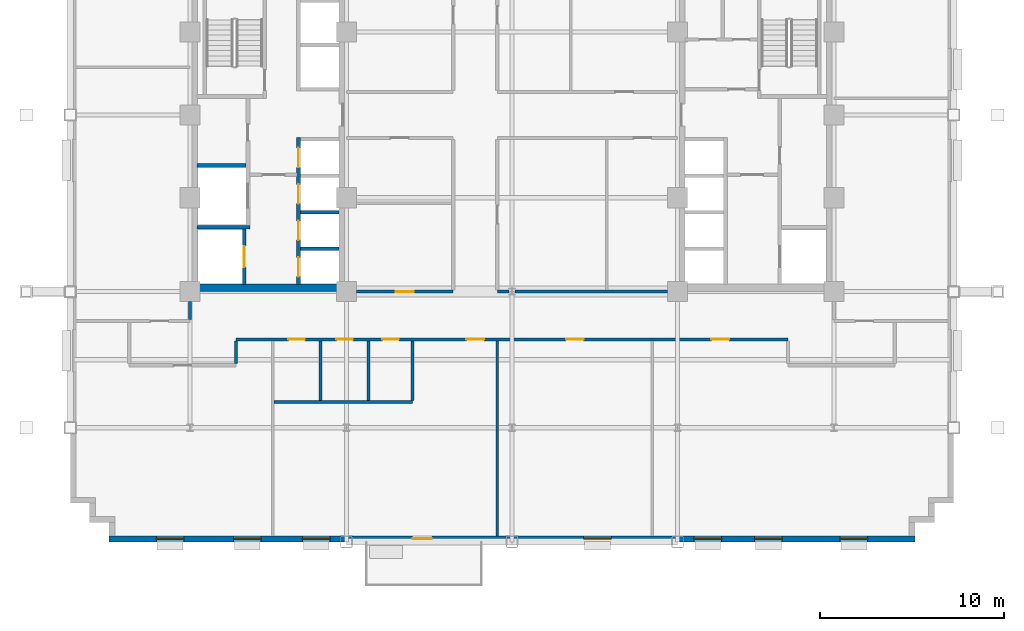
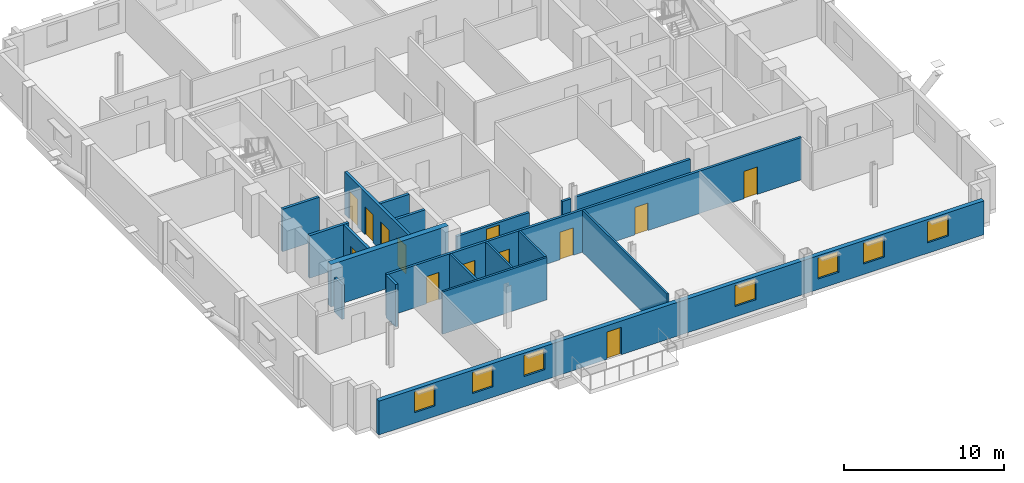
# One storey, part 6 of 14: 19 walls, 13 doors, 7 windows, 20 openings.
"""IFC4 building model written with IfcOpenShell, lengths in metres."""

from ifc_helpers import new_model, si_unit, direction, frame, frame_2d, origin, place, context, subcontext, project, spatial, rectangle, extrude, source, transform, mapped, material, layer, layer_set, type_object, type_shapes, element, fill, save


model = new_model("IFC4")

# Units and contexts
model_context = context("Model", 3, precision=1e-05, world=origin(), true_north=direction((0.0, 1.0)))
body_context = subcontext(model_context, "Body", "Model", "MODEL_VIEW")
ifc_project = project(units=[si_unit("LENGTHUNIT", "METRE"), si_unit("AREAUNIT", "SQUARE_METRE"), si_unit("VOLUMEUNIT", "CUBIC_METRE"), si_unit("PLANEANGLEUNIT", "RADIAN"), si_unit("MASSUNIT", "GRAM", prefix="KILO")], contexts=[model_context])

# Site, building, storey
site_placement = place(None, origin())
site = spatial("IfcSite", under=ifc_project, at=site_placement, CompositionType="ELEMENT")
building_placement = place(site_placement, origin())
building = spatial("IfcBuilding", under=site, at=building_placement, Name="Nuvemarco Arch Tower", CompositionType="ELEMENT")
storey_placement = place(building_placement, frame((0.0, 0.0, 112.89990234375)))
storey = spatial("IfcBuildingStorey", under=building, at=storey_placement, Name="L29", CompositionType="ELEMENT", Elevation=112.89990234375)

# Wall, openings, door, windows
ifc_material_1 = material(Name="Precast concrete C45/55", Category="concrete")
ifc_layer_1 = layer(ifc_material_1, 0.320068359375, Name="EW-MID-320")
ifc_layer_set_1 = layer_set([ifc_layer_1], Name="Precast concrete C45/55")
wall_type_1 = type_object("IfcWallType", Name="EW-MID-320", PredefinedType="STANDARD", material=ifc_layer_set_1)
wall_1_placement = place(storey_placement, frame((-21.89990234375, -23.0400390625, 0.0), z_axis=(0.0, 0.0, 1.0), x_axis=(1.0, 0.0, 0.0)))
wall_1 = element("IfcWall", 1, at=wall_1_placement, inside=storey, type_object=wall_type_1, Name="L29 exterior precast facade wall 1", PredefinedType="STANDARD", context=body_context, shape_type="SweptSolid", body=[
    extrude(rectangle(XDim=43.7998046875, YDim=0.320068359375, at=frame_2d((21.89990234375, 0.0))), origin(), (0.0, 0.0, 1.0), 2.585205078125),
])
opening_1_placement = place(wall_1_placement, frame((17.550048828125, 0.0, 0.0), z_axis=(0.0, 0.0, 1.0), x_axis=(-1.0, 0.0, 0.0)))
opening_1 = element("IfcOpeningElement", 2, at=opening_1_placement, cuts=wall_1, Name="Opening ED-5", PredefinedType="OPENING", context=body_context, shape_type="SweptSolid", body=[
    extrude(rectangle(XDim=1.050048828125, YDim=2.10009765625, at=frame_2d((0.52490234375, 1.050048828125))), frame((0.0, 0.169921875, 0.0), z_axis=(0.0, -1.0, 0.0), x_axis=(1.0, 0.0, 0.0)), (0.0, 0.0, 1.0), 0.340087890625),
])
opening_2_placement = place(wall_1_placement, frame((2.572265625, 0.0, 0.800048828125)))
opening_2 = element("IfcOpeningElement", 3, at=opening_2_placement, cuts=wall_1, Name="Opening WN-11", PredefinedType="OPENING", context=body_context, shape_type="SweptSolid", body=[
    extrude(rectangle(XDim=1.5, YDim=1.60009765625, at=frame_2d((0.75, 0.800048828125))), frame((0.0, 0.169921875, 0.0), z_axis=(0.0, -1.0, 0.0), x_axis=(1.0, 0.0, 0.0)), (0.0, 0.0, 1.0), 0.340087890625),
])
opening_3_placement = place(wall_1_placement, frame((6.7666015625, 0.0, 0.800048828125)))
opening_3 = element("IfcOpeningElement", 4, at=opening_3_placement, cuts=wall_1, Name="Opening WN-11", PredefinedType="OPENING", context=body_context, shape_type="SweptSolid", body=[
    extrude(rectangle(XDim=1.5, YDim=1.60009765625, at=frame_2d((0.75, 0.800048828125))), frame((0.0, 0.169921875, 0.0), z_axis=(0.0, -1.0, 0.0), x_axis=(1.0, 0.0, 0.0)), (0.0, 0.0, 1.0), 0.340087890625),
])
opening_4_placement = place(wall_1_placement, frame((10.510986328125, 0.0, 0.800048828125)))
opening_4 = element("IfcOpeningElement", 5, at=opening_4_placement, cuts=wall_1, Name="Opening WN-11", PredefinedType="OPENING", context=body_context, shape_type="SweptSolid", body=[
    extrude(rectangle(XDim=1.5, YDim=1.60009765625, at=frame_2d((0.75, 0.800048828125))), frame((0.0, 0.169921875, 0.0), z_axis=(0.0, -1.0, 0.0), x_axis=(1.0, 0.0, 0.0)), (0.0, 0.0, 1.0), 0.340087890625),
])
opening_5_placement = place(wall_1_placement, frame((25.79443359375, 0.0, 0.800048828125)))
opening_5 = element("IfcOpeningElement", 6, at=opening_5_placement, cuts=wall_1, Name="Opening WN-11", PredefinedType="OPENING", context=body_context, shape_type="SweptSolid", body=[
    extrude(rectangle(XDim=1.5, YDim=1.60009765625, at=frame_2d((0.75, 0.800048828125))), frame((0.0, 0.169921875, 0.0), z_axis=(0.0, -1.0, 0.0), x_axis=(1.0, 0.0, 0.0)), (0.0, 0.0, 1.0), 0.340087890625),
])
opening_6_placement = place(wall_1_placement, frame((31.788818359375, 0.0, 0.800048828125)))
opening_6 = element("IfcOpeningElement", 7, at=opening_6_placement, cuts=wall_1, Name="Opening WN-11", PredefinedType="OPENING", context=body_context, shape_type="SweptSolid", body=[
    extrude(rectangle(XDim=1.5, YDim=1.60009765625, at=frame_2d((0.75, 0.800048828125))), frame((0.0, 0.169921875, 0.0), z_axis=(0.0, -1.0, 0.0), x_axis=(1.0, 0.0, 0.0)), (0.0, 0.0, 1.0), 0.340087890625),
])
opening_7_placement = place(wall_1_placement, frame((35.083251953125, 0.0, 0.800048828125)))
opening_7 = element("IfcOpeningElement", 8, at=opening_7_placement, cuts=wall_1, Name="Opening WN-11", PredefinedType="OPENING", context=body_context, shape_type="SweptSolid", body=[
    extrude(rectangle(XDim=1.5, YDim=1.60009765625, at=frame_2d((0.75, 0.800048828125))), frame((0.0, 0.169921875, 0.0), z_axis=(0.0, -1.0, 0.0), x_axis=(1.0, 0.0, 0.0)), (0.0, 0.0, 1.0), 0.340087890625),
])
opening_8_placement = place(wall_1_placement, frame((39.727783203125, 0.0, 0.800048828125)))
opening_8 = element("IfcOpeningElement", 9, at=opening_8_placement, cuts=wall_1, Name="Opening WN-11", PredefinedType="OPENING", context=body_context, shape_type="SweptSolid", body=[
    extrude(rectangle(XDim=1.5, YDim=1.60009765625, at=frame_2d((0.75, 0.800048828125))), frame((0.0, 0.169921875, 0.0), z_axis=(0.0, -1.0, 0.0), x_axis=(1.0, 0.0, 0.0)), (0.0, 0.0, 1.0), 0.340087890625),
])
ifc_material_2 = material(Name="Anodised bronze and laminated glass", Category="glass")
door_type_1 = type_object("IfcDoorType", Name="DR-EXT-TERR", OperationType="NOTDEFINED", PredefinedType="DOOR", material=ifc_material_2)
shared_shape_1 = source(origin(), body_context, "Body", "SweptSolid", [
    extrude(rectangle(XDim=1.050048828125, YDim=2.10009765625, at=frame_2d((0.52490234375, 1.050048828125))), frame((0.0, 0.02490234375, 0.0), z_axis=(0.0, -1.0, 0.0), x_axis=(1.0, 0.0, 0.0)), (0.0, 0.0, 1.0), 0.050048828125),
])
type_shapes(door_type_1, [shared_shape_1])
door_1_placement = place(opening_1_placement, origin())
door_1 = element("IfcDoor", 10, at=door_1_placement, inside=storey, type_object=door_type_1, Name="L29 spiral terrace access door", OperationType="SINGLE_SWING_LEFT", OverallHeight=2.10009765625, OverallWidth=1.050048828125, PredefinedType="DOOR", context=body_context, shape_type="MappedRepresentation", body=[
    mapped(shared_shape_1, transform((0.0, 0.0, 0.0), scale=1.0)),
])
fill(opening_1, door_1)
ifc_material_3 = material(Name="Insulated solar-control glass", Category="glass")
window_type = type_object("IfcWindowType", Name="WN-STEP-1500x1850", PartitioningType="SINGLE_PANEL", PredefinedType="WINDOW", material=ifc_material_3)
shared_shape_2 = source(origin(), body_context, "Body", "SweptSolid", [
    extrude(rectangle(XDim=1.5, YDim=1.60009765625, at=frame_2d((0.75, 0.800048828125))), frame((0.0, 0.030029296875, 0.0), z_axis=(0.0, -1.0, 0.0), x_axis=(1.0, 0.0, 0.0)), (0.0, 0.0, 1.0), 0.06005859375),
])
type_shapes(window_type, [shared_shape_2])
window_1_placement = place(opening_2_placement, origin())
window_1 = element("IfcWindow", 11, at=window_1_placement, inside=storey, type_object=window_type, Name="L29 punched facade window 1", OverallHeight=1.60009765625, OverallWidth=1.5, PartitioningType="SINGLE_PANEL", PredefinedType="WINDOW", context=body_context, shape_type="MappedRepresentation", body=[
    mapped(shared_shape_2, transform((0.0, 0.0, 0.0), scale=1.0)),
])
fill(opening_2, window_1)
window_2_placement = place(opening_3_placement, origin())
window_2 = element("IfcWindow", 12, at=window_2_placement, inside=storey, type_object=window_type, Name="L29 punched facade window 2", OverallHeight=1.60009765625, OverallWidth=1.5, PartitioningType="SINGLE_PANEL", PredefinedType="WINDOW", context=body_context, shape_type="MappedRepresentation", body=[
    mapped(shared_shape_2, transform((0.0, 0.0, 0.0), scale=1.0)),
])
fill(opening_3, window_2)
window_3_placement = place(opening_4_placement, origin())
window_3 = element("IfcWindow", 13, at=window_3_placement, inside=storey, type_object=window_type, Name="L29 punched facade window 3", OverallHeight=1.60009765625, OverallWidth=1.5, PartitioningType="SINGLE_PANEL", PredefinedType="WINDOW", context=body_context, shape_type="MappedRepresentation", body=[
    mapped(shared_shape_2, transform((0.0, 0.0, 0.0), scale=1.0)),
])
fill(opening_4, window_3)
window_4_placement = place(opening_5_placement, origin())
window_4 = element("IfcWindow", 14, at=window_4_placement, inside=storey, type_object=window_type, Name="L29 punched facade window 6", OverallHeight=1.60009765625, OverallWidth=1.5, PartitioningType="SINGLE_PANEL", PredefinedType="WINDOW", context=body_context, shape_type="MappedRepresentation", body=[
    mapped(shared_shape_2, transform((0.0, 0.0, 0.0), scale=1.0)),
])
fill(opening_5, window_4)
window_5_placement = place(opening_6_placement, origin())
window_5 = element("IfcWindow", 15, at=window_5_placement, inside=storey, type_object=window_type, Name="L29 punched facade window 7", OverallHeight=1.60009765625, OverallWidth=1.5, PartitioningType="SINGLE_PANEL", PredefinedType="WINDOW", context=body_context, shape_type="MappedRepresentation", body=[
    mapped(shared_shape_2, transform((0.0, 0.0, 0.0), scale=1.0)),
])
fill(opening_6, window_5)
window_6_placement = place(opening_7_placement, origin())
window_6 = element("IfcWindow", 16, at=window_6_placement, inside=storey, type_object=window_type, Name="L29 punched facade window 8", OverallHeight=1.60009765625, OverallWidth=1.5, PartitioningType="SINGLE_PANEL", PredefinedType="WINDOW", context=body_context, shape_type="MappedRepresentation", body=[
    mapped(shared_shape_2, transform((0.0, 0.0, 0.0), scale=1.0)),
])
fill(opening_7, window_6)
window_7_placement = place(opening_8_placement, origin())
window_7 = element("IfcWindow", 17, at=window_7_placement, inside=storey, type_object=window_type, Name="L29 punched facade window 9", OverallHeight=1.60009765625, OverallWidth=1.5, PartitioningType="SINGLE_PANEL", PredefinedType="WINDOW", context=body_context, shape_type="MappedRepresentation", body=[
    mapped(shared_shape_2, transform((0.0, 0.0, 0.0), scale=1.0)),
])
fill(opening_8, window_7)

# Wall
ifc_material_4 = material(Name="Concrete C60/75", Category="concrete")
ifc_layer_2 = layer(ifc_material_4, 0.39990234375, Name="WL-CORE-400")
ifc_layer_set_2 = layer_set([ifc_layer_2], Name="Concrete C60/75")
wall_type_2 = type_object("IfcWallType", Name="WL-CORE-400", PredefinedType="SHEAR", material=ifc_layer_set_2)
wall_2_placement = place(storey_placement, frame((-17.5, -9.39990234375, 0.0), z_axis=(0.0, 0.0, 1.0), x_axis=(1.0, 0.0, 0.0)))
element("IfcWall", 18, at=wall_2_placement, inside=storey, type_object=wall_type_2, Name="L29 W-core shear wall S", PredefinedType="SHEAR", context=body_context, shape_type="SweptSolid", body=[
    extrude(rectangle(XDim=8.5, YDim=0.39990234375, at=frame_2d((4.25, 0.0))), origin(), (0.0, 0.0, 1.0), 3.25),
])

# Wall, openings, doors
ifc_material_5 = material(Name="Fire-rated gypsum drywall partition")
ifc_layer_3 = layer(ifc_material_5, 0.179931640625, Name="WL-CORR-180")
ifc_layer_set_3 = layer_set([ifc_layer_3], Name="Fire-rated gypsum drywall partition")
wall_type_3 = type_object("IfcWallType", Name="WL-CORR-180", PredefinedType="PARTITIONING", material=ifc_layer_set_3)
wall_3_placement = place(storey_placement, frame((-15.0, -12.199951171875, 0.0), z_axis=(0.0, 0.0, 1.0), x_axis=(1.0, 0.0, 0.0)))
wall_3 = element("IfcWall", 19, at=wall_3_placement, inside=storey, type_object=wall_type_3, Name="L29 interior wall IW-L29-004", PredefinedType="PARTITIONING", context=body_context, shape_type="SweptSolid", body=[
    extrude(rectangle(XDim=30.0, YDim=0.179931640625, at=frame_2d((15.0, 0.0))), origin(), (0.0, 0.0, 1.0), 3.239990234375),
])
opening_9_placement = place(wall_3_placement, frame((17.93505859375, 0.0, 0.0)))
opening_9 = element("IfcOpeningElement", 20, at=opening_9_placement, cuts=wall_3, Name="Opening FD-5", PredefinedType="OPENING", context=body_context, shape_type="SweptSolid", body=[
    extrude(rectangle(XDim=0.9599609375, YDim=2.10009765625, at=frame_2d((0.47998046875, 1.050048828125))), frame((0.0, 0.099853515625, 0.0), z_axis=(0.0, -1.0, 0.0), x_axis=(1.0, 0.0, 0.0)), (0.0, 0.0, 1.0), 0.199951171875),
])
opening_10_placement = place(wall_3_placement, frame((25.8349609375, 0.0, 0.0)))
opening_10 = element("IfcOpeningElement", 21, at=opening_10_placement, cuts=wall_3, Name="Opening FD-5", PredefinedType="OPENING", context=body_context, shape_type="SweptSolid", body=[
    extrude(rectangle(XDim=0.9599609375, YDim=2.10009765625, at=frame_2d((0.47998046875, 1.050048828125))), frame((0.0, 0.099853515625, 0.0), z_axis=(0.0, -1.0, 0.0), x_axis=(1.0, 0.0, 0.0)), (0.0, 0.0, 1.0), 0.199951171875),
])
opening_11_placement = place(wall_3_placement, frame((5.449951171875, 0.0, 0.0)))
opening_11 = element("IfcOpeningElement", 22, at=opening_11_placement, cuts=wall_3, Name="Opening ID-3", PredefinedType="OPENING", context=body_context, shape_type="SweptSolid", body=[
    extrude(rectangle(XDim=0.89990234375, YDim=2.10009765625, at=frame_2d((0.449951171875, 1.050048828125))), frame((0.0, 0.099853515625, 0.0), z_axis=(0.0, -1.0, 0.0), x_axis=(1.0, 0.0, 0.0)), (0.0, 0.0, 1.0), 0.199951171875),
])
opening_12_placement = place(wall_3_placement, frame((2.85009765625, 0.0, 0.0)))
opening_12 = element("IfcOpeningElement", 23, at=opening_12_placement, cuts=wall_3, Name="Opening ID-3", PredefinedType="OPENING", context=body_context, shape_type="SweptSolid", body=[
    extrude(rectangle(XDim=0.89990234375, YDim=2.10009765625, at=frame_2d((0.449951171875, 1.050048828125))), frame((0.0, 0.099853515625, 0.0), z_axis=(0.0, -1.0, 0.0), x_axis=(1.0, 0.0, 0.0)), (0.0, 0.0, 1.0), 0.199951171875),
])
opening_13_placement = place(wall_3_placement, frame((12.52001953125, 0.0, 0.0)))
opening_13 = element("IfcOpeningElement", 24, at=opening_13_placement, cuts=wall_3, Name="Opening FD-5", PredefinedType="OPENING", context=body_context, shape_type="SweptSolid", body=[
    extrude(rectangle(XDim=0.9599609375, YDim=2.10009765625, at=frame_2d((0.47998046875, 1.050048828125))), frame((0.0, 0.099853515625, 0.0), z_axis=(0.0, -1.0, 0.0), x_axis=(1.0, 0.0, 0.0)), (0.0, 0.0, 1.0), 0.199951171875),
])
opening_14_placement = place(wall_3_placement, frame((7.949951171875, 0.0, 0.0)))
opening_14 = element("IfcOpeningElement", 25, at=opening_14_placement, cuts=wall_3, Name="Opening ID-3", PredefinedType="OPENING", context=body_context, shape_type="SweptSolid", body=[
    extrude(rectangle(XDim=0.89990234375, YDim=2.10009765625, at=frame_2d((0.449951171875, 1.050048828125))), frame((0.0, 0.099853515625, 0.0), z_axis=(0.0, -1.0, 0.0), x_axis=(1.0, 0.0, 0.0)), (0.0, 0.0, 1.0), 0.199951171875),
])
ifc_material_6 = material(Name="Timber fire door", Category="wood")
door_type_2 = type_object("IfcDoorType", Name="DR-CORR-FD", OperationType="NOTDEFINED", PredefinedType="DOOR", material=ifc_material_6)
shared_shape_3 = source(origin(), body_context, "Body", "SweptSolid", [
    extrude(rectangle(XDim=0.9599609375, YDim=2.10009765625, at=frame_2d((0.47998046875, 1.050048828125))), frame((0.0, 0.02490234375, 0.0), z_axis=(0.0, -1.0, 0.0), x_axis=(1.0, 0.0, 0.0)), (0.0, 0.0, 1.0), 0.050048828125),
])
type_shapes(door_type_2, [shared_shape_3])
door_2_placement = place(opening_9_placement, origin())
door_2 = element("IfcDoor", 26, at=door_2_placement, inside=storey, type_object=door_type_2, Name="L29 door DR-L29-S_3", OperationType="SINGLE_SWING_RIGHT", OverallHeight=2.10009765625, OverallWidth=0.9599609375, PredefinedType="DOOR", context=body_context, shape_type="MappedRepresentation", body=[
    mapped(shared_shape_3, transform((0.0, 0.0, 0.0), scale=1.0)),
])
fill(opening_9, door_2)
door_3_placement = place(opening_10_placement, origin())
door_3 = element("IfcDoor", 27, at=door_3_placement, inside=storey, type_object=door_type_2, Name="L29 door DR-L29-S_4", OperationType="SINGLE_SWING_LEFT", OverallHeight=2.10009765625, OverallWidth=0.9599609375, PredefinedType="DOOR", context=body_context, shape_type="MappedRepresentation", body=[
    mapped(shared_shape_3, transform((0.0, 0.0, 0.0), scale=1.0)),
])
fill(opening_10, door_3)
door_4_placement = place(opening_13_placement, origin())
door_4 = element("IfcDoor", 28, at=door_4_placement, inside=storey, type_object=door_type_2, Name="L29 door DR-L29-S_2", OperationType="SINGLE_SWING_LEFT", OverallHeight=2.10009765625, OverallWidth=0.9599609375, PredefinedType="DOOR", context=body_context, shape_type="MappedRepresentation", body=[
    mapped(shared_shape_3, transform((0.0, 0.0, 0.0), scale=1.0)),
])
fill(opening_13, door_4)
ifc_material_7 = material(Name="Veneered oak timber fire door", Category="wood")
door_type_3 = type_object("IfcDoorType", Name="DR-WC-ACC", OperationType="NOTDEFINED", PredefinedType="DOOR", material=ifc_material_7)
shared_shape_4 = source(origin(), body_context, "Body", "SweptSolid", [
    extrude(rectangle(XDim=0.89990234375, YDim=2.10009765625, at=frame_2d((0.449951171875, 1.050048828125))), frame((0.0, 0.02490234375, 0.0), z_axis=(0.0, -1.0, 0.0), x_axis=(1.0, 0.0, 0.0)), (0.0, 0.0, 1.0), 0.050048828125),
])
type_shapes(door_type_3, [shared_shape_4])
door_5_placement = place(opening_11_placement, origin())
door_5 = element("IfcDoor", 29, at=door_5_placement, inside=storey, type_object=door_type_3, Name="L29 door DR-L29-WC_F", OperationType="SINGLE_SWING_RIGHT", OverallHeight=2.10009765625, OverallWidth=0.89990234375, PredefinedType="DOOR", context=body_context, shape_type="MappedRepresentation", body=[
    mapped(shared_shape_4, transform((0.0, 0.0, 0.0), scale=1.0)),
])
fill(opening_11, door_5)
door_6_placement = place(opening_12_placement, origin())
door_6 = element("IfcDoor", 30, at=door_6_placement, inside=storey, type_object=door_type_3, Name="L29 door DR-L29-WC_M", OperationType="SINGLE_SWING_LEFT", OverallHeight=2.10009765625, OverallWidth=0.89990234375, PredefinedType="DOOR", context=body_context, shape_type="MappedRepresentation", body=[
    mapped(shared_shape_4, transform((0.0, 0.0, 0.0), scale=1.0)),
])
fill(opening_12, door_6)
door_7_placement = place(opening_14_placement, origin())
door_7 = element("IfcDoor", 31, at=door_7_placement, inside=storey, type_object=door_type_3, Name="L29 door DR-L29-WC_ACC", OperationType="SINGLE_SWING_RIGHT", OverallHeight=2.10009765625, OverallWidth=0.89990234375, PredefinedType="DOOR", context=body_context, shape_type="MappedRepresentation", body=[
    mapped(shared_shape_4, transform((0.0, 0.0, 0.0), scale=1.0)),
])
fill(opening_14, door_7)

# Wall, opening, door
wall_4_placement = place(storey_placement, frame((-8.4541015625, -9.60009765625, 0.0), z_axis=(0.0, 0.0, 1.0), x_axis=(1.0, 0.0, 0.0)))
wall_4 = element("IfcWall", 32, at=wall_4_placement, inside=storey, type_object=wall_type_3, Name="L29 interior wall IW-L29-007", PredefinedType="PARTITIONING", context=body_context, shape_type="SweptSolid", body=[
    extrude(rectangle(XDim=5.254150390625, YDim=0.179931640625, at=frame_2d((2.626953125, 0.0))), origin(), (0.0, 0.0, 1.0), 2.28515625),
])
opening_15_placement = place(wall_4_placement, frame((2.14697265625, 0.0, 0.0)))
opening_15 = element("IfcOpeningElement", 33, at=opening_15_placement, cuts=wall_4, Name="Opening FD-5", PredefinedType="OPENING", context=body_context, shape_type="SweptSolid", body=[
    extrude(rectangle(XDim=0.9599609375, YDim=2.10009765625, at=frame_2d((0.47998046875, 1.050048828125))), frame((0.0, 0.099853515625, 0.0), z_axis=(0.0, -1.0, 0.0), x_axis=(1.0, 0.0, 0.0)), (0.0, 0.0, 1.0), 0.199951171875),
])
door_8_placement = place(opening_15_placement, origin())
door_8 = element("IfcDoor", 34, at=door_8_placement, inside=storey, type_object=door_type_2, Name="L29 door DR-L29-C_SW2", OperationType="SINGLE_SWING_LEFT", OverallHeight=2.10009765625, OverallWidth=0.9599609375, PredefinedType="DOOR", context=body_context, shape_type="MappedRepresentation", body=[
    mapped(shared_shape_3, transform((0.0, 0.0, 0.0), scale=1.0)),
])
fill(opening_15, door_8)

# Walls
wall_5_placement = place(storey_placement, frame((-0.800048828125, -9.60009765625, 0.0), z_axis=(0.0, 0.0, 1.0), x_axis=(1.0, 0.0, 0.0)))
element("IfcWall", 35, at=wall_5_placement, inside=storey, type_object=wall_type_3, Name="L29 interior wall IW-L29-008", PredefinedType="PARTITIONING", context=body_context, shape_type="SweptSolid", body=[
    extrude(rectangle(XDim=0.6240234375, YDim=0.179931640625, at=frame_2d((0.31201171875, 0.0))), origin(), (0.0, 0.0, 1.0), 2.28515625),
])
wall_6_placement = place(storey_placement, frame((0.176025390625, -9.60009765625, 0.0), z_axis=(0.0, 0.0, 1.0), x_axis=(1.0, 0.0, 0.0)))
element("IfcWall", 36, at=wall_6_placement, inside=storey, type_object=wall_type_3, Name="L29 interior wall IW-L29-009", PredefinedType="PARTITIONING", context=body_context, shape_type="SweptSolid", body=[
    extrude(rectangle(XDim=8.278076171875, YDim=0.179931640625, at=frame_2d((4.13916015625, 0.0))), origin(), (0.0, 0.0, 1.0), 2.28515625),
])
wall_7_placement = place(storey_placement, frame((-17.5, -11.114013671875, 0.0), z_axis=(0.0, 0.0, 1.0), x_axis=(0.0, 1.0, 0.0)))
element("IfcWall", 37, at=wall_7_placement, inside=storey, type_object=wall_type_3, Name="L29 interior wall IW-L29-027", PredefinedType="PARTITIONING", context=body_context, shape_type="SweptSolid", body=[
    extrude(rectangle(XDim=0.968017578125, YDim=0.179931640625, at=frame_2d((0.48388671875, 0.0))), origin(), (0.0, 0.0, 1.0), 2.6181640625),
])
wall_8_placement = place(storey_placement, frame((-15.0, -13.513916015625, 0.0), z_axis=(0.0, 0.0, 1.0), x_axis=(0.0, 1.0, 0.0)))
element("IfcWall", 38, at=wall_8_placement, inside=storey, type_object=wall_type_3, Name="L29 interior wall IW-L29-029", PredefinedType="PARTITIONING", context=body_context, shape_type="SweptSolid", body=[
    extrude(rectangle(XDim=1.22802734375, YDim=0.179931640625, at=frame_2d((0.614013671875, 0.0))), origin(), (0.0, 0.0, 1.0), 3.239990234375),
])
ifc_material_8 = material(Name="Gypsum plasterboard partition")
ifc_layer_4 = layer(ifc_material_8, 0.139892578125, Name="WL-ROOM-140")
ifc_layer_set_4 = layer_set([ifc_layer_4], Name="Gypsum plasterboard partition")
wall_type_4 = type_object("IfcWallType", Name="WL-ROOM-140", PredefinedType="PARTITIONING", material=ifc_layer_set_4)
wall_9_placement = place(storey_placement, frame((-0.800048828125, -22.8798828125, 0.0), z_axis=(0.0, 0.0, 1.0), x_axis=(0.0, 1.0, 0.0)))
element("IfcWall", 39, at=wall_9_placement, inside=storey, type_object=wall_type_4, Name="L29 interior wall IW-L29-039", PredefinedType="PARTITIONING", context=body_context, shape_type="SweptSolid", body=[
    extrude(rectangle(XDim=10.593994140625, YDim=0.139892578125, at=frame_2d((5.296875, 0.0))), origin(), (0.0, 0.0, 1.0), 3.239990234375),
])

# Wall, opening, door
ifc_material_9 = material(Name="Concrete C50/60", Category="concrete")
ifc_layer_5 = layer(ifc_material_9, 0.199951171875, Name="WL-SHAFT-220")
ifc_layer_set_5 = layer_set([ifc_layer_5], Name="Concrete C50/60")
wall_type_5 = type_object("IfcWallType", Name="WL-SHAFT-220", PredefinedType="SHEAR", material=ifc_layer_set_5)
wall_10_placement = place(storey_placement, frame((-14.550048828125, -9.205078125, 0.0), z_axis=(0.0, 0.0, 1.0), x_axis=(0.0, 1.0, 0.0)))
wall_10 = element("IfcWall", 40, at=wall_10_placement, inside=storey, type_object=wall_type_5, Name="L29 structural shaft wall SW-L29-W-SHE", PredefinedType="SHEAR", context=body_context, shape_type="SweptSolid", body=[
    extrude(rectangle(XDim=3.010009765625, YDim=0.199951171875, at=frame_2d((1.5048828125, 0.0))), origin(), (0.0, 0.0, 1.0), 3.25),
])
opening_16_placement = place(wall_10_placement, frame((0.929931640625, 0.0, 0.0)))
opening_16 = element("IfcOpeningElement", 41, at=opening_16_placement, cuts=wall_10, Name="Opening LD-2", PredefinedType="OPENING", context=body_context, shape_type="SweptSolid", body=[
    extrude(rectangle(XDim=1.14990234375, YDim=2.14990234375, at=frame_2d((0.574951171875, 1.074951171875))), frame((0.0, 0.10986328125, 0.0), z_axis=(0.0, -1.0, 0.0), x_axis=(1.0, 0.0, 0.0)), (0.0, 0.0, 1.0), 0.219970703125),
])
ifc_material_10 = material(Name="Stainless steel lift door", Category="steel")
door_type_4 = type_object("IfcDoorType", Name="DR-LIFT-FIRE", OperationType="DOUBLE_DOOR_SLIDING", PredefinedType="DOOR", material=ifc_material_10)
shared_shape_5 = source(origin(), body_context, "Body", "SweptSolid", [
    extrude(rectangle(XDim=1.14990234375, YDim=2.14990234375, at=frame_2d((0.574951171875, 1.074951171875))), frame((0.0, 0.02490234375, 0.0), z_axis=(0.0, -1.0, 0.0), x_axis=(1.0, 0.0, 0.0)), (0.0, 0.0, 1.0), 0.050048828125),
])
type_shapes(door_type_4, [shared_shape_5])
door_9_placement = place(opening_16_placement, origin())
door_9 = element("IfcDoor", 42, at=door_9_placement, inside=storey, type_object=door_type_4, Name="L29 Lift landing sliding door FFL-1", OperationType="DOUBLE_DOOR_SLIDING", OverallHeight=2.14990234375, OverallWidth=1.14990234375, PredefinedType="DOOR", context=body_context, shape_type="MappedRepresentation", body=[
    mapped(shared_shape_5, transform((0.0, 0.0, 0.0), scale=1.0)),
])
fill(opening_16, door_9)

# Walls
wall_11_placement = place(storey_placement, frame((-17.10498046875, -6.10009765625, 0.0), z_axis=(0.0, 0.0, 1.0), x_axis=(1.0, 0.0, 0.0)))
element("IfcWall", 43, at=wall_11_placement, inside=storey, type_object=wall_type_5, Name="L29 structural shaft wall SW-L29-W-SH1", PredefinedType="SHEAR", context=body_context, shape_type="SweptSolid", body=[
    extrude(rectangle(XDim=2.85498046875, YDim=0.199951171875, at=frame_2d((1.427490234375, 0.0))), origin(), (0.0, 0.0, 1.0), 3.25),
])
wall_12_placement = place(storey_placement, frame((-17.10498046875, -2.75, 0.0), z_axis=(0.0, 0.0, 1.0), x_axis=(1.0, 0.0, 0.0)))
element("IfcWall", 44, at=wall_12_placement, inside=storey, type_object=wall_type_5, Name="L29 structural shaft wall SW-L29-W-SH2", PredefinedType="SHEAR", context=body_context, shape_type="SweptSolid", body=[
    extrude(rectangle(XDim=2.659912109375, YDim=0.199951171875, at=frame_2d((1.330078125, 0.0))), origin(), (0.0, 0.0, 1.0), 3.25),
])

# Wall, openings, doors
wall_13_placement = place(storey_placement, frame((-11.60009765625, -9.205078125, 0.0), z_axis=(0.0, 0.0, 1.0), x_axis=(0.0, 1.0, 0.0)))
wall_13 = element("IfcWall", 45, at=wall_13_placement, inside=storey, type_object=wall_type_5, Name="L29 structural shaft wall SW-L29-W-PLW", PredefinedType="SHEAR", context=body_context, shape_type="SweptSolid", body=[
    extrude(rectangle(XDim=7.97509765625, YDim=0.199951171875, at=frame_2d((3.987548828125, 0.0))), origin(), (0.0, 0.0, 1.0), 3.25),
])
opening_17_placement = place(wall_13_placement, frame((0.419921875, 0.0, 0.0)))
opening_17 = element("IfcOpeningElement", 46, at=opening_17_placement, cuts=wall_13, Name="Opening LD-1", PredefinedType="OPENING", context=body_context, shape_type="SweptSolid", body=[
    extrude(rectangle(XDim=1.050048828125, YDim=2.14990234375, at=frame_2d((0.52490234375, 1.074951171875))), frame((0.0, 0.10986328125, 0.0), z_axis=(0.0, -1.0, 0.0), x_axis=(1.0, 0.0, 0.0)), (0.0, 0.0, 1.0), 0.219970703125),
])
opening_18_placement = place(wall_13_placement, frame((2.39990234375, 0.0, 0.0)))
opening_18 = element("IfcOpeningElement", 47, at=opening_18_placement, cuts=wall_13, Name="Opening LD-1", PredefinedType="OPENING", context=body_context, shape_type="SweptSolid", body=[
    extrude(rectangle(XDim=1.050048828125, YDim=2.14990234375, at=frame_2d((0.52490234375, 1.074951171875))), frame((0.0, 0.10986328125, 0.0), z_axis=(0.0, -1.0, 0.0), x_axis=(1.0, 0.0, 0.0)), (0.0, 0.0, 1.0), 0.219970703125),
])
opening_19_placement = place(wall_13_placement, frame((4.3798828125, 0.0, 0.0)))
opening_19 = element("IfcOpeningElement", 48, at=opening_19_placement, cuts=wall_13, Name="Opening LD-1", PredefinedType="OPENING", context=body_context, shape_type="SweptSolid", body=[
    extrude(rectangle(XDim=1.050048828125, YDim=2.14990234375, at=frame_2d((0.52490234375, 1.074951171875))), frame((0.0, 0.10986328125, 0.0), z_axis=(0.0, -1.0, 0.0), x_axis=(1.0, 0.0, 0.0)), (0.0, 0.0, 1.0), 0.219970703125),
])
opening_20_placement = place(wall_13_placement, frame((6.360107421875, 0.0, 0.0)))
opening_20 = element("IfcOpeningElement", 49, at=opening_20_placement, cuts=wall_13, Name="Opening LD-1", PredefinedType="OPENING", context=body_context, shape_type="SweptSolid", body=[
    extrude(rectangle(XDim=1.050048828125, YDim=2.14990234375, at=frame_2d((0.52490234375, 1.074951171875))), frame((0.0, 0.10986328125, 0.0), z_axis=(0.0, -1.0, 0.0), x_axis=(1.0, 0.0, 0.0)), (0.0, 0.0, 1.0), 0.219970703125),
])
door_type_5 = type_object("IfcDoorType", Name="DR-LIFT-PASS", OperationType="DOUBLE_DOOR_SLIDING", PredefinedType="DOOR", material=ifc_material_10)
shared_shape_6 = source(origin(), body_context, "Body", "SweptSolid", [
    extrude(rectangle(XDim=1.050048828125, YDim=2.14990234375, at=frame_2d((0.52490234375, 1.074951171875))), frame((0.0, 0.02490234375, 0.0), z_axis=(0.0, -1.0, 0.0), x_axis=(1.0, 0.0, 0.0)), (0.0, 0.0, 1.0), 0.050048828125),
])
type_shapes(door_type_5, [shared_shape_6])
door_10_placement = place(opening_17_placement, origin())
door_10 = element("IfcDoor", 50, at=door_10_placement, inside=storey, type_object=door_type_5, Name="L29 Lift landing sliding door PL-1", OperationType="DOUBLE_DOOR_SLIDING", OverallHeight=2.14990234375, OverallWidth=1.050048828125, PredefinedType="DOOR", context=body_context, shape_type="MappedRepresentation", body=[
    mapped(shared_shape_6, transform((0.0, 0.0, 0.0), scale=1.0)),
])
fill(opening_17, door_10)
door_11_placement = place(opening_18_placement, origin())
door_11 = element("IfcDoor", 51, at=door_11_placement, inside=storey, type_object=door_type_5, Name="L29 Lift landing sliding door PL-2", OperationType="DOUBLE_DOOR_SLIDING", OverallHeight=2.14990234375, OverallWidth=1.050048828125, PredefinedType="DOOR", context=body_context, shape_type="MappedRepresentation", body=[
    mapped(shared_shape_6, transform((0.0, 0.0, 0.0), scale=1.0)),
])
fill(opening_18, door_11)
door_12_placement = place(opening_19_placement, origin())
door_12 = element("IfcDoor", 52, at=door_12_placement, inside=storey, type_object=door_type_5, Name="L29 Lift landing sliding door PL-3", OperationType="DOUBLE_DOOR_SLIDING", OverallHeight=2.14990234375, OverallWidth=1.050048828125, PredefinedType="DOOR", context=body_context, shape_type="MappedRepresentation", body=[
    mapped(shared_shape_6, transform((0.0, 0.0, 0.0), scale=1.0)),
])
fill(opening_19, door_12)
door_13_placement = place(opening_20_placement, origin())
door_13 = element("IfcDoor", 53, at=door_13_placement, inside=storey, type_object=door_type_5, Name="L29 Lift landing sliding door PL-4", OperationType="DOUBLE_DOOR_SLIDING", OverallHeight=2.14990234375, OverallWidth=1.050048828125, PredefinedType="DOOR", context=body_context, shape_type="MappedRepresentation", body=[
    mapped(shared_shape_6, transform((0.0, 0.0, 0.0), scale=1.0)),
])
fill(opening_20, door_13)

# Walls
for number, where, z_axis, x_axis, name in (
    (54, (-11.5048828125, -7.27001953125, 0.0), (0.0, 0.0, 1.0), (1.0, 0.0, 0.0), "L29 structural shaft wall SW-L29-W-PLD1"),
    (55, (-11.5048828125, -5.2900390625, 0.0), (0.0, 0.0, 1.0), (1.0, 0.0, 0.0), "L29 structural shaft wall SW-L29-W-PLD2"),
):
    element("IfcWall", number, at=place(storey_placement, frame(where, z_axis=z_axis, x_axis=x_axis)), inside=storey, type_object=wall_type_5, Name=name, PredefinedType="SHEAR", context=body_context, shape_type="SweptSolid", body=[
        extrude(rectangle(XDim=2.10986328125, YDim=0.199951171875, at=frame_2d((1.054931640625, 0.0))), origin(), (0.0, 0.0, 1.0), 3.25),
    ])
ifc_material_11 = material(Name="Moisture-resistant gypsum partition")
ifc_layer_6 = layer(ifc_material_11, 0.14990234375, Name="WL-WET-150")
ifc_layer_set_6 = layer_set([ifc_layer_6], Name="Moisture-resistant gypsum partition")
wall_type_6 = type_object("IfcWallType", Name="WL-WET-150", PredefinedType="PARTITIONING", material=ifc_layer_set_6)
wall_14_placement = place(storey_placement, frame((-12.93408203125, -15.60009765625, 0.0), z_axis=(0.0, 0.0, 1.0), x_axis=(1.0, 0.0, 0.0)))
element("IfcWall", 56, at=wall_14_placement, inside=storey, type_object=wall_type_6, Name="L29 interior wall IW-L29-001", PredefinedType="PARTITIONING", context=body_context, shape_type="SweptSolid", body=[
    extrude(rectangle(XDim=7.5341796875, YDim=0.14990234375, at=frame_2d((3.76708984375, 0.0))), origin(), (0.0, 0.0, 1.0), 3.239990234375),
])
for number, where, z_axis, x_axis, name in (
    (57, (-10.39990234375, -15.529052734375, 0.0), (0.0, 0.0, 1.0), (0.0, 1.0, 0.0), "L29 interior wall IW-L29-033"),
    (58, (-7.800048828125, -15.529052734375, 0.0), (0.0, 0.0, 1.0), (0.0, 1.0, 0.0), "L29 interior wall IW-L29-034"),
    (59, (-5.39990234375, -15.529052734375, 0.0), (0.0, 0.0, 1.0), (0.0, 1.0, 0.0), "L29 interior wall IW-L29-036"),
):
    element("IfcWall", number, at=place(storey_placement, frame(where, z_axis=z_axis, x_axis=x_axis)), inside=storey, type_object=wall_type_6, Name=name, PredefinedType="PARTITIONING", context=body_context, shape_type="SweptSolid", body=[
        extrude(rectangle(XDim=3.2431640625, YDim=0.14990234375, at=frame_2d((1.62158203125, 0.0))), origin(), (0.0, 0.0, 1.0), 3.239990234375),
    ])

save(model, "model.ifc")
